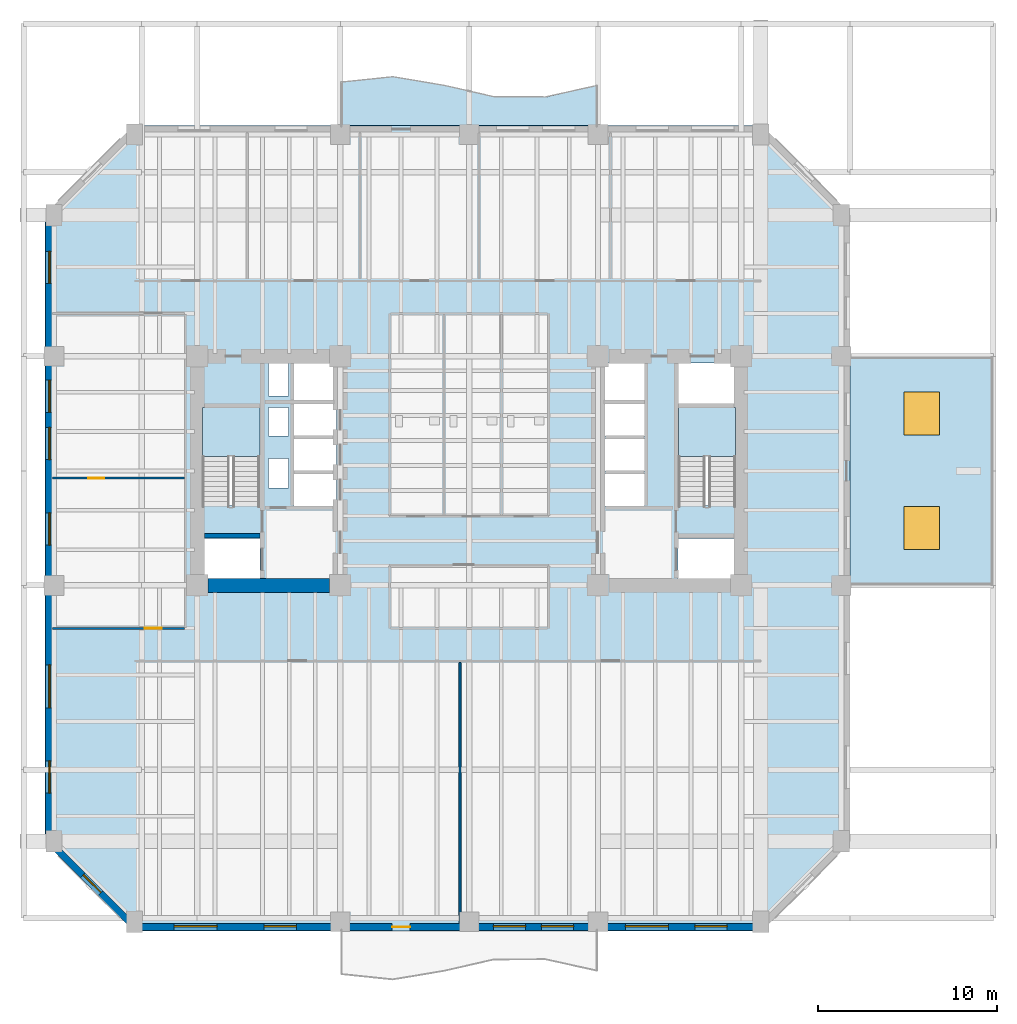
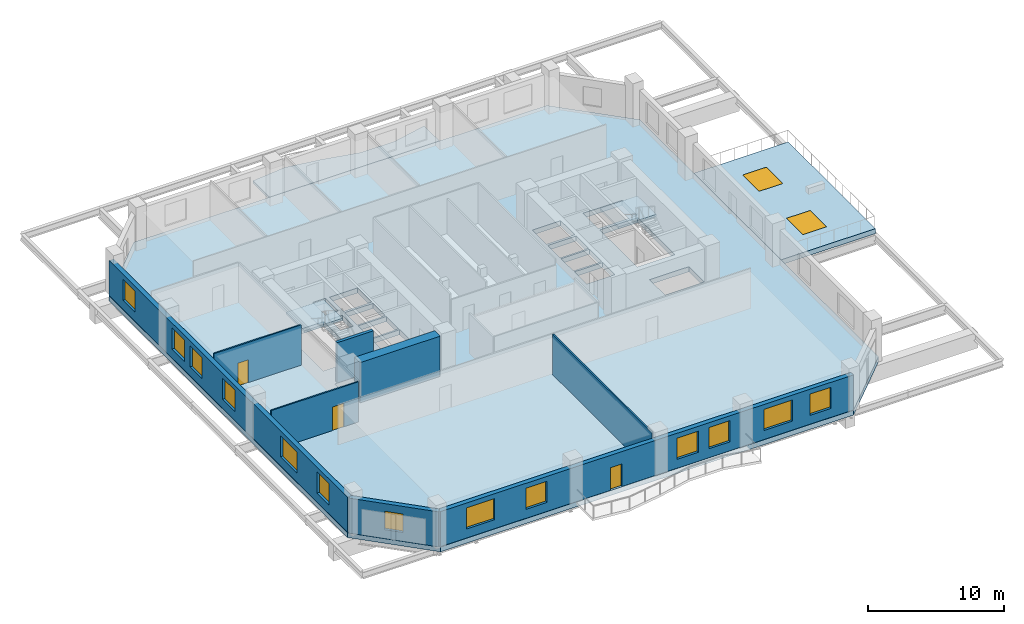
# One storey, part 3 of 11: 15 windows, 8 walls, 5 slabs, 3 doors, 18 openings, 2 elements without a shape of their own.
"""IFC4 building model written with IfcOpenShell, lengths in metres."""

from ifc_helpers import new_model, si_unit, direction, frame, frame_2d, origin, origin_2d, place, context, subcontext, project, spatial, polyline, rectangle, outline, extrude, material, layer, layer_set, type_object, element, fill, aggregate, save


model = new_model("IFC4")

# Units and contexts
model_context = context("Model", 3, precision=1e-05, world=origin(), true_north=direction((0.0, 1.0)))
body_context = subcontext(model_context, "Body", "Model", "MODEL_VIEW")
ifc_project = project(units=[si_unit("LENGTHUNIT", "METRE"), si_unit("AREAUNIT", "SQUARE_METRE"), si_unit("VOLUMEUNIT", "CUBIC_METRE"), si_unit("PLANEANGLEUNIT", "RADIAN"), si_unit("MASSUNIT", "GRAM", prefix="KILO")], contexts=[model_context])

# Site, building, storey
site_placement = place(None, origin())
site = spatial("IfcSite", under=ifc_project, at=site_placement, CompositionType="ELEMENT")
building_placement = place(site_placement, origin())
building = spatial("IfcBuilding", under=site, at=building_placement, Name="Kranthara Brick Stack", CompositionType="ELEMENT")
storey_placement = place(building_placement, frame((0.0, 0.0, 24.300048828125)))
storey = spatial("IfcBuildingStorey", under=building, at=storey_placement, Name="L05", CompositionType="ELEMENT", Elevation=24.300048828125)

# Slab
ifc_material_1 = material(Name="Concrete C45/55", Category="concrete")
ifc_layer_1 = layer(ifc_material_1, 0.219970703125)
ifc_layer_set_1 = layer_set([ifc_layer_1], Name="Concrete C45/55")
slab_type_1 = type_object("IfcSlabType", Name="SLB-BALC-220", PredefinedType="FLOOR", material=ifc_layer_set_1)
slab_1_placement = place(storey_placement, frame((0.0, 0.0, -0.219970703125)))
element("IfcSlab", 1, at=slab_1_placement, inside=storey, type_object=slab_type_1, Name="L05 North Rippling Balcony Slab", PredefinedType="FLOOR", context=body_context, shape_type="SweptSolid", body=[
    extrude(outline(polyline([(35.199951171875, 46.5), (20.800048828125, 46.5), (20.800048828125, 48.9375), (23.679931640625, 49.24365234375), (26.56005859375, 48.771728515625), (29.43994140625, 48.115234375), (32.320068359375, 48.099853515625), (35.199951171875, 48.744873046875), (35.199951171875, 46.5)])), origin(), (0.0, 0.0, 1.0), 0.219970703125),
])

# Stair, slab
ifc_material_2 = material(Name="Concrete C45/55", Category="concrete")
stair_type = type_object("IfcStairType", Name="ST-CORE-22R", PredefinedType="HALF_TURN_STAIR", material=ifc_material_2)
stair_1_placement = place(storey_placement, origin())
stair_1 = element("IfcStair", 2, at=stair_1_placement, inside=storey, type_object=stair_type, Name="L05 West Core Protected Exit Stair ST01", PredefinedType="HALF_TURN_STAIR")
ifc_material_3 = material(Name="Concrete C45/55", Category="concrete")
ifc_layer_2 = layer(ifc_material_3, 0.199951171875)
ifc_layer_set_2 = layer_set([ifc_layer_2], Name="Concrete C45/55")
slab_type_2 = type_object("IfcSlabType", Name="SLB-LANDING-200", PredefinedType="LANDING", material=ifc_layer_set_2)
slab_2_placement = place(storey_placement, frame((0.0, 0.0, 1.75)))
slab_2 = element("IfcSlab", 3, at=slab_2_placement, type_object=slab_type_2, Name="ST01 landing 1", PredefinedType="LANDING", context=body_context, shape_type="SweptSolid", body=[
    extrude(outline(polyline([(16.300048828125, 28.0), (16.300048828125, 30.75), (13.10009765625, 30.75), (13.10009765625, 28.0), (16.300048828125, 28.0)])), origin(), (0.0, 0.0, 1.0), 0.199951171875),
])
aggregate(stair_1, [slab_2])

stair_2_placement = place(storey_placement, origin())
stair_2 = element("IfcStair", 4, at=stair_2_placement, inside=storey, type_object=stair_type, Name="L05 East Core Protected Exit Stair ST02", PredefinedType="HALF_TURN_STAIR")
slab_3_placement = place(storey_placement, frame((0.0, 0.0, 1.75)))
slab_3 = element("IfcSlab", 5, at=slab_3_placement, type_object=slab_type_2, Name="ST02 landing 1", PredefinedType="LANDING", context=body_context, shape_type="SweptSolid", body=[
    extrude(outline(polyline([(42.89990234375, 28.0), (42.89990234375, 30.75), (39.699951171875, 30.75), (39.699951171875, 28.0), (42.89990234375, 28.0)])), origin(), (0.0, 0.0, 1.0), 0.199951171875),
])
aggregate(stair_2, [slab_3])

# Slab, openings, windows
ifc_material_4 = material(Name="Concrete C45/55", Category="concrete")
ifc_layer_3 = layer(ifc_material_4, 0.449951171875)
ifc_layer_set_3 = layer_set([ifc_layer_3], Name="Concrete C45/55")
slab_type_3 = type_object("IfcSlabType", Name="SLB-TERR-450", PredefinedType="ROOF", material=ifc_layer_set_3)
slab_4_placement = place(storey_placement, frame((0.0, 0.0, -0.449951171875)))
slab_4 = element("IfcSlab", 6, at=slab_4_placement, inside=storey, type_object=slab_type_3, Name="L05 East Podium Roof Sky Garden", PredefinedType="ROOF", context=body_context, shape_type="SweptSolid", body=[
    extrude(outline(polyline([(49.300048828125, 20.800048828125), (57.300048828125, 20.800048828125), (57.300048828125, 33.60009765625), (49.300048828125, 33.60009765625), (49.300048828125, 20.800048828125)]), holes=[polyline([(52.300048828125, 22.800048828125), (54.300048828125, 22.800048828125), (54.300048828125, 25.199951171875), (52.300048828125, 25.199951171875), (52.300048828125, 22.800048828125)]), polyline([(52.300048828125, 29.199951171875), (54.300048828125, 29.199951171875), (54.300048828125, 31.60009765625), (52.300048828125, 31.60009765625), (52.300048828125, 29.199951171875)])]), origin(), (0.0, 0.0, 1.0), 0.449951171875),
])
opening_1_placement = place(slab_4_placement, frame((53.300048828125, 24.0, 0.0)))
opening_1 = element("IfcOpeningElement", 7, at=opening_1_placement, cuts=slab_4, Name="Opening WN12", PredefinedType="OPENING", context=body_context, shape_type="SweptSolid", body=[
    extrude(rectangle(XDim=2.0, YDim=2.39990234375, at=origin_2d()), origin(), (0.0, 0.0, 1.0), 0.449951171875),
])
opening_2_placement = place(slab_4_placement, frame((53.300048828125, 30.39990234375, 0.0)))
opening_2 = element("IfcOpeningElement", 8, at=opening_2_placement, cuts=slab_4, Name="Opening WN12", PredefinedType="OPENING", context=body_context, shape_type="SweptSolid", body=[
    extrude(rectangle(XDim=2.0, YDim=2.39990234375, at=origin_2d()), origin(), (0.0, 0.0, 1.0), 0.449951171875),
])
ifc_material_5 = material(Name="Double-glazed low-E solar control glass", Category="glass")
window_type_1 = type_object("IfcWindowType", Name="WN-SKY-2000x2400", PartitioningType="SINGLE_PANEL", PredefinedType="SKYLIGHT", material=ifc_material_5)
window_1_placement = place(opening_1_placement, frame((0.0, 0.0, 0.39990234375)))
window_1 = element("IfcWindow", 9, at=window_1_placement, inside=storey, type_object=window_type_1, Name="L05 Terrace Roof Skylight 01", OverallHeight=2.39990234375, OverallWidth=2.0, PartitioningType="SINGLE_PANEL", PredefinedType="SKYLIGHT", context=body_context, shape_type="SweptSolid", body=[
    extrude(rectangle(XDim=2.0, YDim=2.39990234375, at=origin_2d()), origin(), (0.0, 0.0, 1.0), 0.050048828125),
])
fill(opening_1, window_1)
window_2_placement = place(opening_2_placement, frame((0.0, 0.0, 0.39990234375)))
window_2 = element("IfcWindow", 10, at=window_2_placement, inside=storey, type_object=window_type_1, Name="L05 Terrace Roof Skylight 02", OverallHeight=2.39990234375, OverallWidth=2.0, PartitioningType="SINGLE_PANEL", PredefinedType="SKYLIGHT", context=body_context, shape_type="SweptSolid", body=[
    extrude(rectangle(XDim=2.0, YDim=2.39990234375, at=origin_2d()), origin(), (0.0, 0.0, 1.0), 0.050048828125),
])
fill(opening_2, window_2)

# Slab
ifc_material_6 = material(Name="Post-tensioned concrete C50/60", Category="concrete")
ifc_layer_4 = layer(ifc_material_6, 0.449951171875)
ifc_layer_set_4 = layer_set([ifc_layer_4], Name="Post-tensioned concrete C50/60")
slab_type_4 = type_object("IfcSlabType", Name="SLB-TRANS-450", PredefinedType="FLOOR", material=ifc_layer_set_4)
slab_5_placement = place(storey_placement, frame((0.0, 0.0, -0.449951171875)))
element("IfcSlab", 11, at=slab_5_placement, inside=storey, type_object=slab_type_4, Name="L05 Structural Floor Plate", PredefinedType="FLOOR", context=body_context, shape_type="SweptSolid", body=[
    extrude(outline(polyline([(9.300048828125, 1.5), (44.300048828125, 1.5), (49.300048828125, 6.5), (49.300048828125, 41.5), (44.300048828125, 46.5), (9.300048828125, 46.5), (4.300048828125, 41.5), (4.300048828125, 6.5), (9.300048828125, 1.5)]), holes=[polyline([(13.10009765625, 25.280029296875), (16.300048828125, 25.280029296875), (16.300048828125, 30.75), (13.10009765625, 30.75), (13.10009765625, 25.280029296875)]), polyline([(39.699951171875, 25.280029296875), (42.89990234375, 25.280029296875), (42.89990234375, 30.75), (39.699951171875, 30.75), (39.699951171875, 25.280029296875)]), polyline([(13.0, 21.179931640625), (16.320068359375, 21.179931640625), (16.320068359375, 23.419921875), (13.0, 23.419921875), (13.0, 21.179931640625)]), polyline([(39.679931640625, 21.179931640625), (43.0, 21.179931640625), (43.0, 23.419921875), (39.679931640625, 23.419921875), (39.679931640625, 21.179931640625)]), polyline([(39.679931640625, 30.97998046875), (43.0, 30.97998046875), (43.0, 33.219970703125), (39.679931640625, 33.219970703125), (39.679931640625, 30.97998046875)]), polyline([(18.199951171875, 25.25), (20.60009765625, 25.25), (20.60009765625, 27.050048828125), (18.199951171875, 27.050048828125), (18.199951171875, 25.25)]), polyline([(18.199951171875, 27.199951171875), (20.60009765625, 27.199951171875), (20.60009765625, 29.0), (18.199951171875, 29.0), (18.199951171875, 27.199951171875)]), polyline([(18.199951171875, 29.14990234375), (20.60009765625, 29.14990234375), (20.60009765625, 30.949951171875), (18.199951171875, 30.949951171875), (18.199951171875, 29.14990234375)]), polyline([(35.39990234375, 25.25), (37.800048828125, 25.25), (37.800048828125, 27.050048828125), (35.39990234375, 27.050048828125), (35.39990234375, 25.25)]), polyline([(35.39990234375, 27.199951171875), (37.800048828125, 27.199951171875), (37.800048828125, 29.0), (35.39990234375, 29.0), (35.39990234375, 27.199951171875)]), polyline([(35.39990234375, 29.14990234375), (37.800048828125, 29.14990234375), (37.800048828125, 30.949951171875), (35.39990234375, 30.949951171875), (35.39990234375, 29.14990234375)]), polyline([(18.199951171875, 31.14990234375), (20.60009765625, 31.14990234375), (20.60009765625, 33.219970703125), (18.199951171875, 33.219970703125), (18.199951171875, 31.14990234375)]), polyline([(35.39990234375, 31.14990234375), (37.800048828125, 31.14990234375), (37.800048828125, 33.219970703125), (35.39990234375, 33.219970703125), (35.39990234375, 31.14990234375)]), polyline([(16.800048828125, 26.25), (17.89990234375, 26.25), (17.89990234375, 27.89990234375), (16.800048828125, 27.89990234375), (16.800048828125, 26.25)]), polyline([(16.800048828125, 29.14990234375), (17.89990234375, 29.14990234375), (17.89990234375, 30.75), (16.800048828125, 30.75), (16.800048828125, 29.14990234375)]), polyline([(16.800048828125, 31.39990234375), (17.89990234375, 31.39990234375), (17.89990234375, 33.25), (16.800048828125, 33.25), (16.800048828125, 31.39990234375)])]), origin(), (0.0, 0.0, 1.0), 0.449951171875),
])

# Wall, openings, door, windows
ifc_material_7 = material(Name="Kiln-fired clay brick masonry M15", Category="masonry")
ifc_layer_5 = layer(ifc_material_7, 0.3798828125)
ifc_layer_set_5 = layer_set([ifc_layer_5], Name="Kiln-fired clay brick masonry M15")
wall_type_1 = type_object("IfcWallType", Name="WL-BRK-PIER-380", PredefinedType="STANDARD", material=ifc_layer_set_5)
wall_1_placement = place(storey_placement, frame((44.300048828125, 1.7099609375, 0.0), z_axis=(0.0, 0.0, 1.0), x_axis=(-1.0, 0.0, 0.0)))
wall_1 = element("IfcWall", 12, at=wall_1_placement, inside=storey, type_object=wall_type_1, Name="L05 Exterior Brick Facade Wall SOUTH 1", PredefinedType="STANDARD", context=body_context, shape_type="SweptSolid", body=[
    extrude(rectangle(XDim=35.0, YDim=0.3798828125, at=frame_2d((17.5, 0.0))), origin(), (0.0, 0.0, 1.0), 3.135009765625),
])
opening_3_placement = place(wall_1_placement, frame((19.60009765625, 0.0, 0.0)))
opening_3 = element("IfcOpeningElement", 13, at=opening_3_placement, cuts=wall_1, Name="Opening D03", PredefinedType="OPENING", context=body_context, shape_type="SweptSolid", body=[
    extrude(rectangle(XDim=1.0, YDim=2.02001953125, at=frame_2d((0.5, 1.010009765625))), frame((0.0, 0.199951171875, 0.0), z_axis=(0.0, -1.0, 0.0), x_axis=(1.0, 0.0, 0.0)), (0.0, 0.0, 1.0), 0.39990234375),
])
opening_4_placement = place(wall_1_placement, frame((1.886962890625, 0.0, 0.800048828125)))
opening_4 = element("IfcOpeningElement", 14, at=opening_4_placement, cuts=wall_1, Name="Opening WN01", PredefinedType="OPENING", context=body_context, shape_type="SweptSolid", body=[
    extrude(rectangle(XDim=1.800048828125, YDim=1.89990234375, at=frame_2d((0.89990234375, 0.949951171875))), frame((0.0, 0.199951171875, 0.0), z_axis=(0.0, -1.0, 0.0), x_axis=(1.0, 0.0, 0.0)), (0.0, 0.0, 1.0), 0.39990234375),
])
opening_5_placement = place(wall_1_placement, frame((5.1630859375, 0.0, 0.800048828125)))
opening_5 = element("IfcOpeningElement", 15, at=opening_5_placement, cuts=wall_1, Name="Opening WN02", PredefinedType="OPENING", context=body_context, shape_type="SweptSolid", body=[
    extrude(rectangle(XDim=2.39990234375, YDim=1.89990234375, at=frame_2d((1.199951171875, 0.949951171875))), frame((0.0, 0.199951171875, 0.0), z_axis=(0.0, -1.0, 0.0), x_axis=(1.0, 0.0, 0.0)), (0.0, 0.0, 1.0), 0.39990234375),
])
opening_6_placement = place(wall_1_placement, frame((10.4560546875, 0.0, 0.800048828125)))
opening_6 = element("IfcOpeningElement", 16, at=opening_6_placement, cuts=wall_1, Name="Opening WN01", PredefinedType="OPENING", context=body_context, shape_type="SweptSolid", body=[
    extrude(rectangle(XDim=1.800048828125, YDim=1.89990234375, at=frame_2d((0.89990234375, 0.949951171875))), frame((0.0, 0.199951171875, 0.0), z_axis=(0.0, -1.0, 0.0), x_axis=(1.0, 0.0, 0.0)), (0.0, 0.0, 1.0), 0.39990234375),
])
opening_7_placement = place(wall_1_placement, frame((13.14404296875, 0.0, 0.800048828125)))
opening_7 = element("IfcOpeningElement", 17, at=opening_7_placement, cuts=wall_1, Name="Opening WN01", PredefinedType="OPENING", context=body_context, shape_type="SweptSolid", body=[
    extrude(rectangle(XDim=1.800048828125, YDim=1.89990234375, at=frame_2d((0.89990234375, 0.949951171875))), frame((0.0, 0.199951171875, 0.0), z_axis=(0.0, -1.0, 0.0), x_axis=(1.0, 0.0, 0.0)), (0.0, 0.0, 1.0), 0.39990234375),
])
opening_8_placement = place(wall_1_placement, frame((25.9609375, 0.0, 0.800048828125)))
opening_8 = element("IfcOpeningElement", 18, at=opening_8_placement, cuts=wall_1, Name="Opening WN01", PredefinedType="OPENING", context=body_context, shape_type="SweptSolid", body=[
    extrude(rectangle(XDim=1.800048828125, YDim=1.89990234375, at=frame_2d((0.89990234375, 0.949951171875))), frame((0.0, 0.199951171875, 0.0), z_axis=(0.0, -1.0, 0.0), x_axis=(1.0, 0.0, 0.0)), (0.0, 0.0, 1.0), 0.39990234375),
])
opening_9_placement = place(wall_1_placement, frame((30.388916015625, 0.0, 0.800048828125)))
opening_9 = element("IfcOpeningElement", 19, at=opening_9_placement, cuts=wall_1, Name="Opening WN02", PredefinedType="OPENING", context=body_context, shape_type="SweptSolid", body=[
    extrude(rectangle(XDim=2.39990234375, YDim=1.89990234375, at=frame_2d((1.199951171875, 0.949951171875))), frame((0.0, 0.199951171875, 0.0), z_axis=(0.0, -1.0, 0.0), x_axis=(1.0, 0.0, 0.0)), (0.0, 0.0, 1.0), 0.39990234375),
])
ifc_material_8 = material(Name="Bronze anodised aluminium and laminated glass", Category="aluminium")
door_type_1 = type_object("IfcDoorType", Name="DR-BALC-1000", OperationType="NOTDEFINED", PredefinedType="DOOR", material=ifc_material_8)
door_1_placement = place(opening_3_placement, origin())
door_1 = element("IfcDoor", 20, at=door_1_placement, inside=storey, type_object=door_type_1, Name="L05 South Balcony Terrace Door", OperationType="SINGLE_SWING_LEFT", OverallHeight=2.02001953125, OverallWidth=1.0, PredefinedType="DOOR", context=body_context, shape_type="SweptSolid", body=[
    extrude(rectangle(XDim=1.0, YDim=2.02001953125, at=frame_2d((0.5, 1.010009765625))), frame((0.0, 0.02490234375, 0.0), z_axis=(0.0, -1.0, 0.0), x_axis=(1.0, 0.0, 0.0)), (0.0, 0.0, 1.0), 0.050048828125),
])
fill(opening_3, door_1)
ifc_material_9 = material(Name="Double-glazed low-E solar control glass", Category="glass")
window_type_2 = type_object("IfcWindowType", Name="WN-OFF-1800x2000", PartitioningType="SINGLE_PANEL", PredefinedType="WINDOW", material=ifc_material_9)
window_3_placement = place(opening_4_placement, origin())
window_3 = element("IfcWindow", 21, at=window_3_placement, inside=storey, type_object=window_type_2, Name="L05 South Deep-Set Brick Window 01", OverallHeight=1.89990234375, OverallWidth=1.800048828125, PartitioningType="SINGLE_PANEL", PredefinedType="WINDOW", context=body_context, shape_type="SweptSolid", body=[
    extrude(rectangle(XDim=1.800048828125, YDim=1.89990234375, at=frame_2d((0.89990234375, 0.949951171875))), frame((0.0, -0.010009765625, 0.0), z_axis=(0.0, -1.0, 0.0), x_axis=(1.0, 0.0, 0.0)), (0.0, 0.0, 1.0), 0.06005859375),
])
fill(opening_4, window_3)
window_4_placement = place(opening_6_placement, origin())
window_4 = element("IfcWindow", 22, at=window_4_placement, inside=storey, type_object=window_type_2, Name="L05 South Deep-Set Brick Window 03", OverallHeight=1.89990234375, OverallWidth=1.800048828125, PartitioningType="SINGLE_PANEL", PredefinedType="WINDOW", context=body_context, shape_type="SweptSolid", body=[
    extrude(rectangle(XDim=1.800048828125, YDim=1.89990234375, at=frame_2d((0.89990234375, 0.949951171875))), frame((0.0, -0.010009765625, 0.0), z_axis=(0.0, -1.0, 0.0), x_axis=(1.0, 0.0, 0.0)), (0.0, 0.0, 1.0), 0.06005859375),
])
fill(opening_6, window_4)
window_5_placement = place(opening_7_placement, origin())
window_5 = element("IfcWindow", 23, at=window_5_placement, inside=storey, type_object=window_type_2, Name="L05 South Deep-Set Brick Window 04", OverallHeight=1.89990234375, OverallWidth=1.800048828125, PartitioningType="SINGLE_PANEL", PredefinedType="WINDOW", context=body_context, shape_type="SweptSolid", body=[
    extrude(rectangle(XDim=1.800048828125, YDim=1.89990234375, at=frame_2d((0.89990234375, 0.949951171875))), frame((0.0, -0.010009765625, 0.0), z_axis=(0.0, -1.0, 0.0), x_axis=(1.0, 0.0, 0.0)), (0.0, 0.0, 1.0), 0.06005859375),
])
fill(opening_7, window_5)
window_6_placement = place(opening_8_placement, origin())
window_6 = element("IfcWindow", 24, at=window_6_placement, inside=storey, type_object=window_type_2, Name="L05 South Deep-Set Brick Window 05", OverallHeight=1.89990234375, OverallWidth=1.800048828125, PartitioningType="SINGLE_PANEL", PredefinedType="WINDOW", context=body_context, shape_type="SweptSolid", body=[
    extrude(rectangle(XDim=1.800048828125, YDim=1.89990234375, at=frame_2d((0.89990234375, 0.949951171875))), frame((0.0, -0.010009765625, 0.0), z_axis=(0.0, -1.0, 0.0), x_axis=(1.0, 0.0, 0.0)), (0.0, 0.0, 1.0), 0.06005859375),
])
fill(opening_8, window_6)
ifc_material_10 = material(Name="Double-glazed low-E solar control glass", Category="glass")
window_type_3 = type_object("IfcWindowType", Name="WN-OFF-2400x2000", PartitioningType="DOUBLE_PANEL_VERTICAL", PredefinedType="WINDOW", material=ifc_material_10)
window_7_placement = place(opening_5_placement, origin())
window_7 = element("IfcWindow", 25, at=window_7_placement, inside=storey, type_object=window_type_3, Name="L05 South Deep-Set Brick Window 02", OverallHeight=1.89990234375, OverallWidth=2.39990234375, PartitioningType="SINGLE_PANEL", PredefinedType="WINDOW", context=body_context, shape_type="SweptSolid", body=[
    extrude(rectangle(XDim=2.39990234375, YDim=1.89990234375, at=frame_2d((1.199951171875, 0.949951171875))), frame((0.0, -0.010009765625, 0.0), z_axis=(0.0, -1.0, 0.0), x_axis=(1.0, 0.0, 0.0)), (0.0, 0.0, 1.0), 0.06005859375),
])
fill(opening_5, window_7)
window_8_placement = place(opening_9_placement, origin())
window_8 = element("IfcWindow", 26, at=window_8_placement, inside=storey, type_object=window_type_3, Name="L05 South Deep-Set Brick Window 06", OverallHeight=1.89990234375, OverallWidth=2.39990234375, PartitioningType="SINGLE_PANEL", PredefinedType="WINDOW", context=body_context, shape_type="SweptSolid", body=[
    extrude(rectangle(XDim=2.39990234375, YDim=1.89990234375, at=frame_2d((1.199951171875, 0.949951171875))), frame((0.0, -0.010009765625, 0.0), z_axis=(0.0, -1.0, 0.0), x_axis=(1.0, 0.0, 0.0)), (0.0, 0.0, 1.0), 0.06005859375),
])
fill(opening_9, window_8)

# Wall, opening, window
wall_2_placement = place(storey_placement, frame((9.300048828125, 1.7099609375, 0.0), z_axis=(0.0, 0.0, 1.0), x_axis=(-0.707106781187, 0.707106781187, 0.0)))
wall_2 = element("IfcWall", 27, at=wall_2_placement, inside=storey, type_object=wall_type_1, Name="L05 Exterior Brick Facade Wall SW 1", PredefinedType="STANDARD", context=body_context, shape_type="SweptSolid", body=[
    extrude(rectangle(XDim=6.774169921875, YDim=0.3798828125, at=frame_2d((3.38720703125, 0.0))), origin(), (0.0, 0.0, 1.0), 3.135009765625),
])
opening_10_placement = place(wall_2_placement, frame((2.68701171875, 0.0, 0.800048828125)))
opening_10 = element("IfcOpeningElement", 28, at=opening_10_placement, cuts=wall_2, Name="Opening WN10", PredefinedType="OPENING", context=body_context, shape_type="SweptSolid", body=[
    extrude(rectangle(XDim=1.39990234375, YDim=1.64990234375, at=frame_2d((0.699951171875, 0.824951171875))), frame((0.0, 0.199951171875, 0.0), z_axis=(0.0, -1.0, 0.0), x_axis=(1.0, 0.0, 0.0)), (0.0, 0.0, 1.0), 0.39990234375),
])
ifc_material_11 = material(Name="Double-glazed low-E solar control glass", Category="glass")
window_type_4 = type_object("IfcWindowType", Name="WN-CHM-1400x1750", PartitioningType="SINGLE_PANEL", PredefinedType="WINDOW", material=ifc_material_11)
window_9_placement = place(opening_10_placement, origin())
window_9 = element("IfcWindow", 29, at=window_9_placement, inside=storey, type_object=window_type_4, Name="L05 SW Chamfer Corner Window", OverallHeight=1.64990234375, OverallWidth=1.39990234375, PartitioningType="SINGLE_PANEL", PredefinedType="WINDOW", context=body_context, shape_type="SweptSolid", body=[
    extrude(rectangle(XDim=1.39990234375, YDim=1.64990234375, at=frame_2d((0.699951171875, 0.824951171875))), frame((0.0, -0.010009765625, 0.0), z_axis=(0.0, -1.0, 0.0), x_axis=(1.0, 0.0, 0.0)), (0.0, 0.0, 1.0), 0.06005859375),
])
fill(opening_10, window_9)

# Wall, openings, windows
wall_3_placement = place(storey_placement, frame((4.510009765625, 6.5, 0.0), z_axis=(0.0, 0.0, 1.0), x_axis=(0.0, 1.0, 0.0)))
wall_3 = element("IfcWall", 30, at=wall_3_placement, inside=storey, type_object=wall_type_1, Name="L05 Exterior Brick Facade Wall WEST 1", PredefinedType="STANDARD", context=body_context, shape_type="SweptSolid", body=[
    extrude(rectangle(XDim=35.0, YDim=0.3798828125, at=frame_2d((17.5, 0.0))), origin(), (0.0, 0.0, 1.0), 3.135009765625),
])
opening_11_placement = place(wall_3_placement, frame((2.693115234375, 0.0, 0.800048828125)))
opening_11 = element("IfcOpeningElement", 31, at=opening_11_placement, cuts=wall_3, Name="Opening WN01", PredefinedType="OPENING", context=body_context, shape_type="SweptSolid", body=[
    extrude(rectangle(XDim=1.800048828125, YDim=1.89990234375, at=frame_2d((0.89990234375, 0.949951171875))), frame((0.0, 0.199951171875, 0.0), z_axis=(0.0, -1.0, 0.0), x_axis=(1.0, 0.0, 0.0)), (0.0, 0.0, 1.0), 0.39990234375),
])
opening_12_placement = place(wall_3_placement, frame((7.45703125, 0.0, 0.800048828125)))
opening_12 = element("IfcOpeningElement", 32, at=opening_12_placement, cuts=wall_3, Name="Opening WN02", PredefinedType="OPENING", context=body_context, shape_type="SweptSolid", body=[
    extrude(rectangle(XDim=2.39990234375, YDim=1.89990234375, at=frame_2d((1.199951171875, 0.949951171875))), frame((0.0, 0.199951171875, 0.0), z_axis=(0.0, -1.0, 0.0), x_axis=(1.0, 0.0, 0.0)), (0.0, 0.0, 1.0), 0.39990234375),
])
opening_13_placement = place(wall_3_placement, frame((16.550048828125, 0.0, 0.800048828125)))
opening_13 = element("IfcOpeningElement", 33, at=opening_13_placement, cuts=wall_3, Name="Opening WN01", PredefinedType="OPENING", context=body_context, shape_type="SweptSolid", body=[
    extrude(rectangle(XDim=1.800048828125, YDim=1.89990234375, at=frame_2d((0.89990234375, 0.949951171875))), frame((0.0, 0.199951171875, 0.0), z_axis=(0.0, -1.0, 0.0), x_axis=(1.0, 0.0, 0.0)), (0.0, 0.0, 1.0), 0.39990234375),
])
opening_14_placement = place(wall_3_placement, frame((21.330078125, 0.0, 0.800048828125)))
opening_14 = element("IfcOpeningElement", 34, at=opening_14_placement, cuts=wall_3, Name="Opening WN01", PredefinedType="OPENING", context=body_context, shape_type="SweptSolid", body=[
    extrude(rectangle(XDim=1.800048828125, YDim=1.89990234375, at=frame_2d((0.89990234375, 0.949951171875))), frame((0.0, 0.199951171875, 0.0), z_axis=(0.0, -1.0, 0.0), x_axis=(1.0, 0.0, 0.0)), (0.0, 0.0, 1.0), 0.39990234375),
])
opening_15_placement = place(wall_3_placement, frame((23.969970703125, 0.0, 0.800048828125)))
opening_15 = element("IfcOpeningElement", 35, at=opening_15_placement, cuts=wall_3, Name="Opening WN01", PredefinedType="OPENING", context=body_context, shape_type="SweptSolid", body=[
    extrude(rectangle(XDim=1.800048828125, YDim=1.89990234375, at=frame_2d((0.89990234375, 0.949951171875))), frame((0.0, 0.199951171875, 0.0), z_axis=(0.0, -1.0, 0.0), x_axis=(1.0, 0.0, 0.0)), (0.0, 0.0, 1.0), 0.39990234375),
])
opening_16_placement = place(wall_3_placement, frame((31.175048828125, 0.0, 0.800048828125)))
opening_16 = element("IfcOpeningElement", 36, at=opening_16_placement, cuts=wall_3, Name="Opening WN01", PredefinedType="OPENING", context=body_context, shape_type="SweptSolid", body=[
    extrude(rectangle(XDim=1.800048828125, YDim=1.89990234375, at=frame_2d((0.89990234375, 0.949951171875))), frame((0.0, 0.199951171875, 0.0), z_axis=(0.0, -1.0, 0.0), x_axis=(1.0, 0.0, 0.0)), (0.0, 0.0, 1.0), 0.39990234375),
])
window_10_placement = place(opening_11_placement, origin())
window_10 = element("IfcWindow", 37, at=window_10_placement, inside=storey, type_object=window_type_2, Name="L05 West Deep-Set Brick Window 01", OverallHeight=1.89990234375, OverallWidth=1.800048828125, PartitioningType="SINGLE_PANEL", PredefinedType="WINDOW", context=body_context, shape_type="SweptSolid", body=[
    extrude(rectangle(XDim=1.800048828125, YDim=1.89990234375, at=frame_2d((0.89990234375, 0.949951171875))), frame((0.0, -0.010009765625, 0.0), z_axis=(0.0, -1.0, 0.0), x_axis=(1.0, 0.0, 0.0)), (0.0, 0.0, 1.0), 0.06005859375),
])
fill(opening_11, window_10)
window_11_placement = place(opening_13_placement, origin())
window_11 = element("IfcWindow", 38, at=window_11_placement, inside=storey, type_object=window_type_2, Name="L05 West Deep-Set Brick Window 03", OverallHeight=1.89990234375, OverallWidth=1.800048828125, PartitioningType="SINGLE_PANEL", PredefinedType="WINDOW", context=body_context, shape_type="SweptSolid", body=[
    extrude(rectangle(XDim=1.800048828125, YDim=1.89990234375, at=frame_2d((0.89990234375, 0.949951171875))), frame((0.0, -0.010009765625, 0.0), z_axis=(0.0, -1.0, 0.0), x_axis=(1.0, 0.0, 0.0)), (0.0, 0.0, 1.0), 0.06005859375),
])
fill(opening_13, window_11)
window_12_placement = place(opening_14_placement, origin())
window_12 = element("IfcWindow", 39, at=window_12_placement, inside=storey, type_object=window_type_2, Name="L05 West Deep-Set Brick Window 04", OverallHeight=1.89990234375, OverallWidth=1.800048828125, PartitioningType="SINGLE_PANEL", PredefinedType="WINDOW", context=body_context, shape_type="SweptSolid", body=[
    extrude(rectangle(XDim=1.800048828125, YDim=1.89990234375, at=frame_2d((0.89990234375, 0.949951171875))), frame((0.0, -0.010009765625, 0.0), z_axis=(0.0, -1.0, 0.0), x_axis=(1.0, 0.0, 0.0)), (0.0, 0.0, 1.0), 0.06005859375),
])
fill(opening_14, window_12)
window_13_placement = place(opening_15_placement, origin())
window_13 = element("IfcWindow", 40, at=window_13_placement, inside=storey, type_object=window_type_2, Name="L05 West Deep-Set Brick Window 05", OverallHeight=1.89990234375, OverallWidth=1.800048828125, PartitioningType="SINGLE_PANEL", PredefinedType="WINDOW", context=body_context, shape_type="SweptSolid", body=[
    extrude(rectangle(XDim=1.800048828125, YDim=1.89990234375, at=frame_2d((0.89990234375, 0.949951171875))), frame((0.0, -0.010009765625, 0.0), z_axis=(0.0, -1.0, 0.0), x_axis=(1.0, 0.0, 0.0)), (0.0, 0.0, 1.0), 0.06005859375),
])
fill(opening_15, window_13)
window_14_placement = place(opening_16_placement, origin())
window_14 = element("IfcWindow", 41, at=window_14_placement, inside=storey, type_object=window_type_2, Name="L05 West Deep-Set Brick Window 06", OverallHeight=1.89990234375, OverallWidth=1.800048828125, PartitioningType="SINGLE_PANEL", PredefinedType="WINDOW", context=body_context, shape_type="SweptSolid", body=[
    extrude(rectangle(XDim=1.800048828125, YDim=1.89990234375, at=frame_2d((0.89990234375, 0.949951171875))), frame((0.0, -0.010009765625, 0.0), z_axis=(0.0, -1.0, 0.0), x_axis=(1.0, 0.0, 0.0)), (0.0, 0.0, 1.0), 0.06005859375),
])
fill(opening_16, window_14)
window_15_placement = place(opening_12_placement, origin())
window_15 = element("IfcWindow", 42, at=window_15_placement, inside=storey, type_object=window_type_3, Name="L05 West Deep-Set Brick Window 02", OverallHeight=1.89990234375, OverallWidth=2.39990234375, PartitioningType="SINGLE_PANEL", PredefinedType="WINDOW", context=body_context, shape_type="SweptSolid", body=[
    extrude(rectangle(XDim=2.39990234375, YDim=1.89990234375, at=frame_2d((1.199951171875, 0.949951171875))), frame((0.0, -0.010009765625, 0.0), z_axis=(0.0, -1.0, 0.0), x_axis=(1.0, 0.0, 0.0)), (0.0, 0.0, 1.0), 0.06005859375),
])
fill(opening_12, window_15)

# Walls
ifc_material_12 = material(Name="Concrete C50/60", Category="concrete")
ifc_layer_6 = layer(ifc_material_12, 0.25)
ifc_layer_set_6 = layer_set([ifc_layer_6], Name="Concrete C50/60")
wall_type_2 = type_object("IfcWallType", Name="WL-CORE-250", PredefinedType="SHEAR", material=ifc_layer_set_6)
wall_4_placement = place(storey_placement, frame((13.2099609375, 23.570068359375, 0.0), z_axis=(0.0, 0.0, 1.0), x_axis=(1.0, 0.0, 0.0)))
element("IfcWall", 43, at=wall_4_placement, inside=storey, type_object=wall_type_2, Name="L05 West Stairwell Bearing Wall WFF", PredefinedType="SHEAR", context=body_context, shape_type="SweptSolid", body=[
    extrude(rectangle(XDim=3.10009765625, YDim=0.25, at=frame_2d((1.550048828125, 0.0))), origin(), (0.0, 0.0, 1.0), 3.599853515625),
])
ifc_material_13 = material(Name="Concrete C70/85", Category="concrete")
ifc_layer_7 = layer(ifc_material_13, 0.800048828125)
ifc_layer_set_7 = layer_set([ifc_layer_7], Name="Concrete C70/85")
wall_type_3 = type_object("IfcWallType", Name="WL-CORE-800", PredefinedType="SHEAR", material=ifc_layer_set_7)
wall_5_placement = place(storey_placement, frame((13.405029296875, 20.800048828125, 0.0), z_axis=(0.0, 0.0, 1.0), x_axis=(1.0, 0.0, 0.0)))
element("IfcWall", 44, at=wall_5_placement, inside=storey, type_object=wall_type_3, Name="L05 West Core Shear Wall South", PredefinedType="SHEAR", context=body_context, shape_type="SweptSolid", body=[
    extrude(rectangle(XDim=6.7900390625, YDim=0.800048828125, at=frame_2d((3.39501953125, 0.0))), origin(), (0.0, 0.0, 1.0), 3.599853515625),
])
ifc_material_14 = material(Name="Acoustic gypsum plasterboard partition", Category="other")
ifc_layer_8 = layer(ifc_material_14, 0.1201171875)
ifc_layer_set_8 = layer_set([ifc_layer_8], Name="Acoustic gypsum plasterboard partition")
wall_type_4 = type_object("IfcWallType", Name="WL-PART-120", PredefinedType="PARTITIONING", material=ifc_layer_set_8)
wall_6_placement = place(storey_placement, frame((27.5, 1.905029296875, 0.0), z_axis=(0.0, 0.0, 1.0), x_axis=(0.0, 1.0, 0.0)))
element("IfcWall", 45, at=wall_6_placement, inside=storey, type_object=wall_type_4, Name="L05 Interior Partition 012", PredefinedType="PARTITIONING", context=body_context, shape_type="SweptSolid", body=[
    extrude(rectangle(XDim=14.574951171875, YDim=0.1201171875, at=frame_2d((7.28759765625, 0.0))), origin(), (0.0, 0.0, 1.0), 3.599853515625),
])

# Wall, opening, door
wall_7_placement = place(storey_placement, frame((4.705078125, 18.39990234375, 0.0), z_axis=(0.0, 0.0, 1.0), x_axis=(1.0, 0.0, 0.0)))
wall_7 = element("IfcWall", 46, at=wall_7_placement, inside=storey, type_object=wall_type_4, Name="L05 Interior Partition 019", PredefinedType="PARTITIONING", context=body_context, shape_type="SweptSolid", body=[
    extrude(rectangle(XDim=7.3798828125, YDim=0.1201171875, at=frame_2d((3.68994140625, 0.0))), origin(), (0.0, 0.0, 1.0), 3.599853515625),
])
opening_17_placement = place(wall_7_placement, frame((5.179931640625, 0.0, 0.0)))
opening_17 = element("IfcOpeningElement", 47, at=opening_17_placement, cuts=wall_7, Name="Opening D14", PredefinedType="OPENING", context=body_context, shape_type="SweptSolid", body=[
    extrude(rectangle(XDim=0.949951171875, YDim=2.10009765625, at=frame_2d((0.47509765625, 1.050048828125))), frame((0.0, 0.070068359375, 0.0), z_axis=(0.0, -1.0, 0.0), x_axis=(1.0, 0.0, 0.0)), (0.0, 0.0, 1.0), 0.14013671875),
])
ifc_material_15 = material(Name="Solid-core hardwood timber leaf in steel frame", Category="steel")
door_type_2 = type_object("IfcDoorType", Name="DR-INT-950", OperationType="NOTDEFINED", PredefinedType="DOOR", material=ifc_material_15)
door_2_placement = place(opening_17_placement, origin())
door_2 = element("IfcDoor", 48, at=door_2_placement, inside=storey, type_object=door_type_2, Name="L05 West South Office 13", OperationType="SINGLE_SWING_LEFT", OverallHeight=2.10009765625, OverallWidth=0.949951171875, PredefinedType="DOOR", context=body_context, shape_type="SweptSolid", body=[
    extrude(rectangle(XDim=0.949951171875, YDim=2.10009765625, at=frame_2d((0.47509765625, 1.050048828125))), frame((0.0, 0.02490234375, 0.0), z_axis=(0.0, -1.0, 0.0), x_axis=(1.0, 0.0, 0.0)), (0.0, 0.0, 1.0), 0.050048828125),
])
fill(opening_17, door_2)

wall_8_placement = place(storey_placement, frame((4.705078125, 26.800048828125, 0.0), z_axis=(0.0, 0.0, 1.0), x_axis=(1.0, 0.0, 0.0)))
wall_8 = element("IfcWall", 49, at=wall_8_placement, inside=storey, type_object=wall_type_4, Name="L05 Interior Partition 021", PredefinedType="PARTITIONING", context=body_context, shape_type="SweptSolid", body=[
    extrude(rectangle(XDim=7.3798828125, YDim=0.1201171875, at=frame_2d((3.68994140625, 0.0))), origin(), (0.0, 0.0, 1.0), 3.599853515625),
])
opening_18_placement = place(wall_8_placement, frame((2.0, 0.0, 0.0)))
opening_18 = element("IfcOpeningElement", 50, at=opening_18_placement, cuts=wall_8, Name="Opening D15", PredefinedType="OPENING", context=body_context, shape_type="SweptSolid", body=[
    extrude(rectangle(XDim=0.89990234375, YDim=2.050048828125, at=frame_2d((0.449951171875, 1.02490234375))), frame((0.0, 0.070068359375, 0.0), z_axis=(0.0, -1.0, 0.0), x_axis=(1.0, 0.0, 0.0)), (0.0, 0.0, 1.0), 0.14013671875),
])
ifc_material_16 = material(Name="Solid-core hardwood timber leaf in steel frame", Category="steel")
door_type_3 = type_object("IfcDoorType", Name="DR-INT-900", OperationType="NOTDEFINED", PredefinedType="DOOR", material=ifc_material_16)
door_3_placement = place(opening_18_placement, origin())
door_3 = element("IfcDoor", 51, at=door_3_placement, inside=storey, type_object=door_type_3, Name="L05 West Inner Suite Door 12", OperationType="SINGLE_SWING_RIGHT", OverallHeight=2.050048828125, OverallWidth=0.89990234375, PredefinedType="DOOR", context=body_context, shape_type="SweptSolid", body=[
    extrude(rectangle(XDim=0.89990234375, YDim=2.050048828125, at=frame_2d((0.449951171875, 1.02490234375))), frame((0.0, 0.02490234375, 0.0), z_axis=(0.0, -1.0, 0.0), x_axis=(1.0, 0.0, 0.0)), (0.0, 0.0, 1.0), 0.050048828125),
])
fill(opening_18, door_3)

save(model, "model.ifc")
